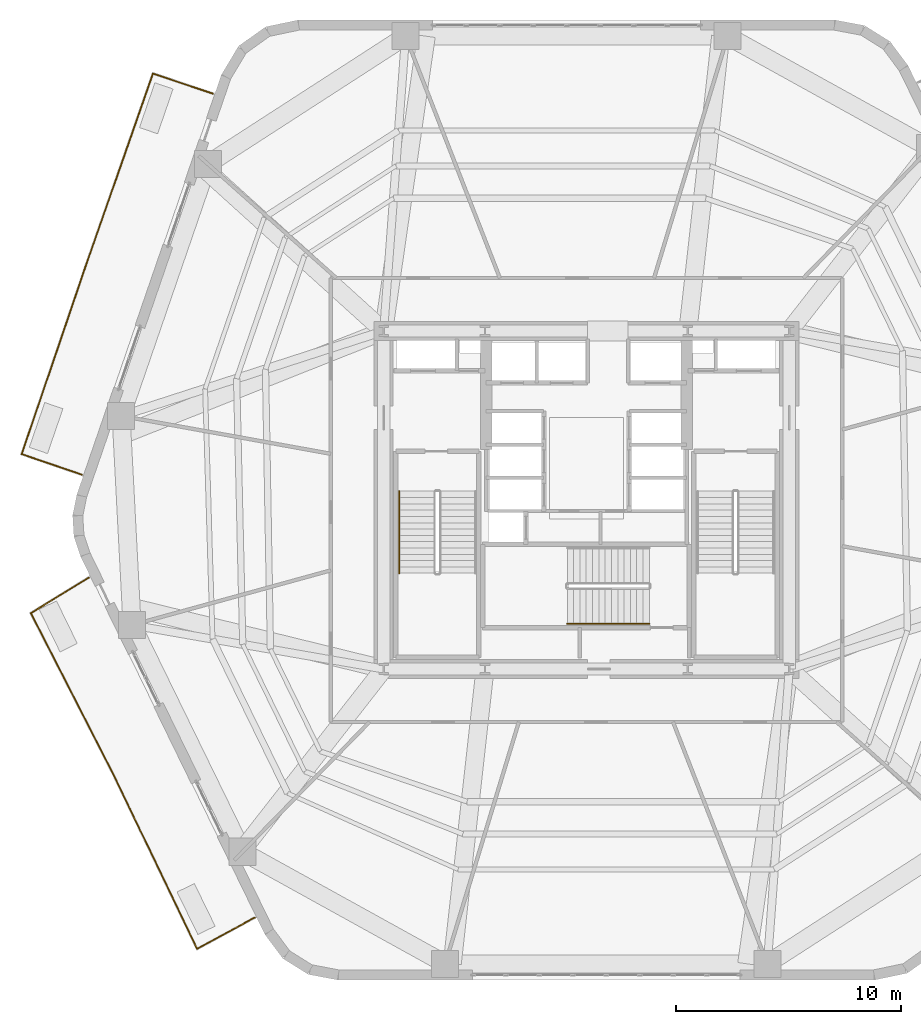
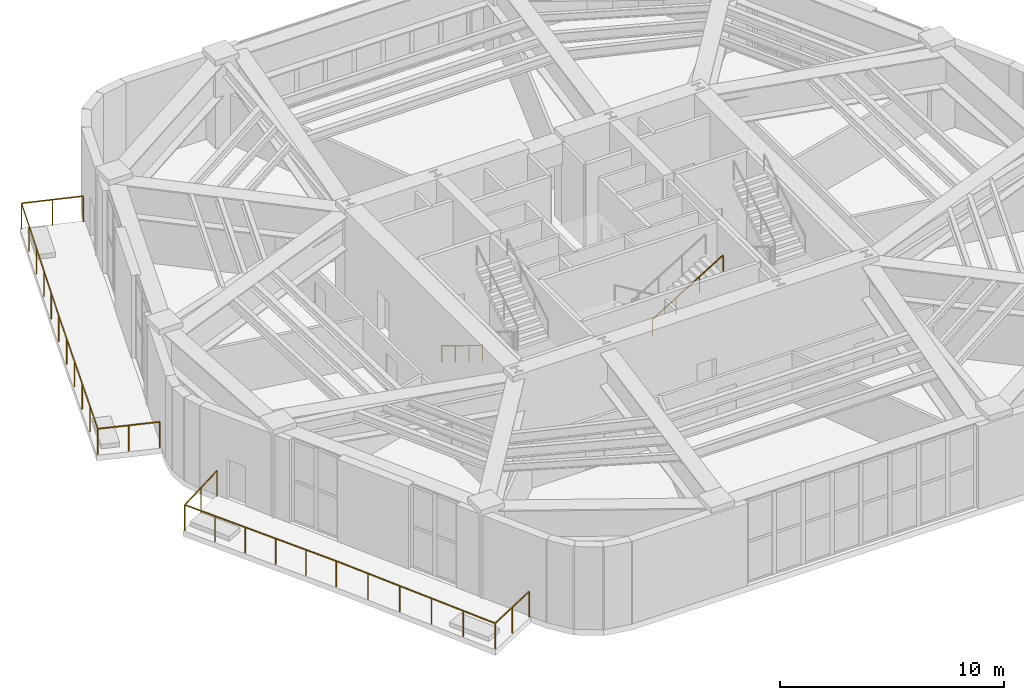
# One storey, part 20 of 22: 4 railings.
"""IFC4 building model written with IfcOpenShell, lengths in metres."""

from ifc_helpers import new_model, si_unit, direction, frame, origin, origin_2d, place, context, subcontext, project, spatial, rectangle, extrude, material, layer, layer_set, type_object, element, save


model = new_model("IFC4")

# Units and contexts
model_context = context("Model", 3, precision=1e-05, world=origin(), true_north=direction((0.0, 1.0)))
body_context = subcontext(model_context, "Body", "Model", "MODEL_VIEW")
ifc_project = project(units=[si_unit("LENGTHUNIT", "METRE"), si_unit("AREAUNIT", "SQUARE_METRE"), si_unit("VOLUMEUNIT", "CUBIC_METRE"), si_unit("PLANEANGLEUNIT", "RADIAN"), si_unit("MASSUNIT", "GRAM", prefix="KILO")], contexts=[model_context])

# Site, building, storey
site_placement = place(None, origin())
site = spatial("IfcSite", under=ifc_project, at=site_placement, CompositionType="ELEMENT")
building_placement = place(site_placement, origin())
building = spatial("IfcBuilding", under=site, at=building_placement, Name="Kilnhurst Terrace Hotel", CompositionType="ELEMENT")
storey_placement = place(building_placement, frame((0.0, 0.0, 139.5)))
storey = spatial("IfcBuildingStorey", under=building, at=storey_placement, Name="L34", CompositionType="ELEMENT", Elevation=139.5)

# Railings
ifc_material_1 = material(Name="Laminated SentryGlas and Stainless Steel AISI 316L Balustrade", Category="steel")
ifc_layer_1 = layer(ifc_material_1, 0.070068359375, Name="Laminated SentryGlas and Stainless Steel AISI 316L Balustrade")
ifc_layer_set_1 = layer_set([ifc_layer_1], Name="Laminated SentryGlas and Stainless Steel AISI 316L Balustrade")
railing_type_1 = type_object("IfcRailingType", Name="RLG-BAL-1420", PredefinedType="BALUSTRADE", material=ifc_layer_set_1)
railing_1_placement = place(storey_placement, frame((-22.394287109375, 1.123779296875, 0.0)))
element("IfcRailing", 1, at=railing_1_placement, inside=storey, type_object=railing_type_1, Name="L34 Exterior Terrace Guardrail BAL-L2A.1", PredefinedType="BALUSTRADE", context=body_context, shape_type="SweptSolid", body=[
    extrude(rectangle(XDim=0.048095703125, YDim=0.048095703125, at=origin_2d()), frame((0.0, 0.0, 1.39599609375), z_axis=(-0.945999088216, 0.324169284625, 0.0), x_axis=(-0.324169284625, -0.945999088216, 0.0)), (0.0, 0.0, 1.0), 2.818115234375),
    extrude(rectangle(XDim=0.048095703125, YDim=0.048095703125, at=origin_2d()), frame((-2.666015625, 0.91357421875, 1.39599609375), z_axis=(0.322236749626, 0.946659113509, 0.0), x_axis=(-0.946659113509, 0.322236749626, 0.0)), (0.0, 0.0, 1.0), 8.94921875),
    extrude(rectangle(XDim=0.048095703125, YDim=0.048095703125, at=origin_2d()), frame((0.2177734375, 9.385498046875, 1.39599609375), z_axis=(0.329867270016, 0.94402732173, 0.0), x_axis=(-0.94402732173, 0.329867270016, 0.0)), (0.0, 0.0, 1.0), 8.9140625),
    extrude(rectangle(XDim=0.048095703125, YDim=0.048095703125, at=origin_2d()), frame((3.158203125, 17.800537109375, 1.39599609375), z_axis=(0.948125796951, -0.317895380834, 0.0), x_axis=(0.317895380834, 0.948125796951, 0.0)), (0.0, 0.0, 1.0), 2.81005859375),
    extrude(rectangle(XDim=0.0419921875, YDim=0.0419921875, at=origin_2d()), origin(), (0.0, 0.0, 1.0), 1.371826171875),
    extrude(rectangle(XDim=0.0419921875, YDim=0.0419921875, at=origin_2d()), frame((-1.3330078125, 0.456787109375, 0.0)), (0.0, 0.0, 1.0), 1.371826171875),
    extrude(rectangle(XDim=0.0419921875, YDim=0.0419921875, at=origin_2d()), frame((-2.666015625, 0.91357421875, 0.0)), (0.0, 0.0, 1.0), 1.371826171875),
    extrude(rectangle(XDim=0.0419921875, YDim=0.0419921875, at=origin_2d()), frame((-2.08935546875, 2.60791015625, 0.0)), (0.0, 0.0, 1.0), 1.371826171875),
    extrude(rectangle(XDim=0.0419921875, YDim=0.0419921875, at=origin_2d()), frame((-1.512451171875, 4.30224609375, 0.0)), (0.0, 0.0, 1.0), 1.371826171875),
    extrude(rectangle(XDim=0.0419921875, YDim=0.0419921875, at=origin_2d()), frame((-0.935791015625, 5.996826171875, 0.0)), (0.0, 0.0, 1.0), 1.371826171875),
    extrude(rectangle(XDim=0.0419921875, YDim=0.0419921875, at=origin_2d()), frame((-0.35888671875, 7.691162109375, 0.0)), (0.0, 0.0, 1.0), 1.371826171875),
    extrude(rectangle(XDim=0.0419921875, YDim=0.0419921875, at=origin_2d()), frame((0.2177734375, 9.385498046875, 0.0)), (0.0, 0.0, 1.0), 1.371826171875),
    extrude(rectangle(XDim=0.0419921875, YDim=0.0419921875, at=origin_2d()), frame((0.805908203125, 11.068603515625, 0.0)), (0.0, 0.0, 1.0), 1.371826171875),
    extrude(rectangle(XDim=0.0419921875, YDim=0.0419921875, at=origin_2d()), frame((1.39404296875, 12.75146484375, 0.0)), (0.0, 0.0, 1.0), 1.371826171875),
    extrude(rectangle(XDim=0.0419921875, YDim=0.0419921875, at=origin_2d()), frame((1.98193359375, 14.4345703125, 0.0)), (0.0, 0.0, 1.0), 1.371826171875),
    extrude(rectangle(XDim=0.0419921875, YDim=0.0419921875, at=origin_2d()), frame((2.570068359375, 16.117431640625, 0.0)), (0.0, 0.0, 1.0), 1.371826171875),
    extrude(rectangle(XDim=0.0419921875, YDim=0.0419921875, at=origin_2d()), frame((3.158203125, 17.800537109375, 0.0)), (0.0, 0.0, 1.0), 1.371826171875),
    extrude(rectangle(XDim=0.0419921875, YDim=0.0419921875, at=origin_2d()), frame((4.490234375, 17.35400390625, 0.0)), (0.0, 0.0, 1.0), 1.371826171875),
    extrude(rectangle(XDim=0.0419921875, YDim=0.0419921875, at=origin_2d()), frame((5.822509765625, 16.9072265625, 0.0)), (0.0, 0.0, 1.0), 1.371826171875),
])
railing_2_placement = place(storey_placement, frame((-14.722900390625, -18.529541015625, 0.0)))
element("IfcRailing", 2, at=railing_2_placement, inside=storey, type_object=railing_type_1, Name="L34 Exterior Terrace Guardrail BAL-L2B.1", PredefinedType="BALUSTRADE", context=body_context, shape_type="SweptSolid", body=[
    extrude(rectangle(XDim=0.048095703125, YDim=0.048095703125, at=origin_2d()), frame((0.0, 0.0, 1.39599609375), z_axis=(-0.878553207741, -0.477644492451, 0.0), x_axis=(0.477644492451, -0.878553207741, 0.0)), (0.0, 0.0, 1.0), 2.90478515625),
    extrude(rectangle(XDim=0.048095703125, YDim=0.048095703125, at=origin_2d()), frame((-2.552001953125, -1.387451171875, 1.39599609375), z_axis=(-0.43291229924, 0.901436043858, 0.0), x_axis=(-0.901436043858, -0.43291229924, 0.0)), (0.0, 0.0, 1.0), 8.583251953125),
    extrude(rectangle(XDim=0.048095703125, YDim=0.048095703125, at=origin_2d()), frame((-6.267822265625, 6.349853515625, 1.39599609375), z_axis=(-0.514495755428, 0.857492925713, 0.0), x_axis=(-0.857492925713, -0.514495755428, 0.0)), (0.0, 0.0, 1.0), 0.00146484375),
    extrude(rectangle(XDim=0.048095703125, YDim=0.048095703125, at=origin_2d()), frame((-6.2685546875, 6.35107421875, 1.39599609375), z_axis=(-0.455744437697, 0.890110671494, 0.0), x_axis=(-0.890110671494, -0.455744437697, 0.0)), (0.0, 0.0, 1.0), 8.039794921875),
    extrude(rectangle(XDim=0.048095703125, YDim=0.048095703125, at=origin_2d()), frame((-9.9326171875, 13.50732421875, 1.39599609375), z_axis=(0.85191630472, 0.523677963784, 0.0), x_axis=(-0.523677963784, 0.85191630472, 0.0)), (0.0, 0.0, 1.0), 3.0205078125),
    extrude(rectangle(XDim=0.0419921875, YDim=0.0419921875, at=origin_2d()), origin(), (0.0, 0.0, 1.0), 1.371826171875),
    extrude(rectangle(XDim=0.0419921875, YDim=0.0419921875, at=origin_2d()), frame((-1.27587890625, -0.69384765625, 0.0)), (0.0, 0.0, 1.0), 1.371826171875),
    extrude(rectangle(XDim=0.0419921875, YDim=0.0419921875, at=origin_2d()), frame((-2.552001953125, -1.387451171875, 0.0)), (0.0, 0.0, 1.0), 1.371826171875),
    extrude(rectangle(XDim=0.0419921875, YDim=0.0419921875, at=origin_2d()), frame((-3.295166015625, 0.159912109375, 0.0)), (0.0, 0.0, 1.0), 1.371826171875),
    extrude(rectangle(XDim=0.0419921875, YDim=0.0419921875, at=origin_2d()), frame((-4.038330078125, 1.70751953125, 0.0)), (0.0, 0.0, 1.0), 1.371826171875),
    extrude(rectangle(XDim=0.0419921875, YDim=0.0419921875, at=origin_2d()), frame((-4.781494140625, 3.2548828125, 0.0)), (0.0, 0.0, 1.0), 1.371826171875),
    extrude(rectangle(XDim=0.0419921875, YDim=0.0419921875, at=origin_2d()), frame((-5.524658203125, 4.802490234375, 0.0)), (0.0, 0.0, 1.0), 1.371826171875),
    extrude(rectangle(XDim=0.0419921875, YDim=0.0419921875, at=origin_2d()), frame((-6.267822265625, 6.349853515625, 0.0)), (0.0, 0.0, 1.0), 1.371826171875),
    extrude(rectangle(XDim=0.0419921875, YDim=0.0419921875, at=origin_2d()), frame((-6.2685546875, 6.35107421875, 0.0)), (0.0, 0.0, 1.0), 1.371826171875),
    extrude(rectangle(XDim=0.0419921875, YDim=0.0419921875, at=origin_2d()), frame((-7.00146484375, 7.7822265625, 0.0)), (0.0, 0.0, 1.0), 1.371826171875),
    extrude(rectangle(XDim=0.0419921875, YDim=0.0419921875, at=origin_2d()), frame((-7.734130859375, 9.213623046875, 0.0)), (0.0, 0.0, 1.0), 1.371826171875),
    extrude(rectangle(XDim=0.0419921875, YDim=0.0419921875, at=origin_2d()), frame((-8.467041015625, 10.644775390625, 0.0)), (0.0, 0.0, 1.0), 1.371826171875),
    extrude(rectangle(XDim=0.0419921875, YDim=0.0419921875, at=origin_2d()), frame((-9.19970703125, 12.076171875, 0.0)), (0.0, 0.0, 1.0), 1.371826171875),
    extrude(rectangle(XDim=0.0419921875, YDim=0.0419921875, at=origin_2d()), frame((-9.9326171875, 13.50732421875, 0.0)), (0.0, 0.0, 1.0), 1.371826171875),
    extrude(rectangle(XDim=0.0419921875, YDim=0.0419921875, at=origin_2d()), frame((-8.64599609375, 14.29833984375, 0.0)), (0.0, 0.0, 1.0), 1.371826171875),
    extrude(rectangle(XDim=0.0419921875, YDim=0.0419921875, at=origin_2d()), frame((-7.359375, 15.089111328125, 0.0)), (0.0, 0.0, 1.0), 1.371826171875),
])
ifc_material_2 = material(Name="Brushed Stainless Steel AISI 304", Category="steel")
ifc_layer_2 = layer(ifc_material_2, 0.048095703125, Name="Brushed Stainless Steel AISI 304")
ifc_layer_set_2 = layer_set([ifc_layer_2], Name="Brushed Stainless Steel AISI 304")
railing_type_2 = type_object("IfcRailingType", Name="RLG-ST-HRL-900", PredefinedType="HANDRAIL", material=ifc_layer_set_2)
railing_3_placement = place(storey_placement, frame((-8.300048828125, 0.389892578125, 0.17138671875)))
element("IfcRailing", 3, at=railing_3_placement, inside=storey, type_object=railing_type_2, Name="L34 ST-1 stair handrail 1", PredefinedType="HANDRAIL", context=body_context, shape_type="SweptSolid", body=[
    extrude(rectangle(XDim=0.048095703125, YDim=0.048095703125, at=origin_2d()), frame((0.0, 0.0, 0.8759765625), z_axis=(0.0, -0.852850264322, 0.5221555579), x_axis=(1.0, 0.0, 0.0)), (0.0, 0.0, 1.0), 4.267822265625),
    extrude(rectangle(XDim=0.0419921875, YDim=0.0419921875, at=origin_2d()), origin(), (0.0, 0.0, 1.0), 0.851806640625),
    extrude(rectangle(XDim=0.0419921875, YDim=0.0419921875, at=origin_2d()), frame((0.0, -1.21337890625, 0.742919921875)), (0.0, 0.0, 1.0), 0.851806640625),
    extrude(rectangle(XDim=0.0419921875, YDim=0.0419921875, at=origin_2d()), frame((0.0, -2.426513671875, 1.485595703125)), (0.0, 0.0, 1.0), 0.851806640625),
    extrude(rectangle(XDim=0.0419921875, YDim=0.0419921875, at=origin_2d()), frame((0.0, -3.639892578125, 2.228515625)), (0.0, 0.0, 1.0), 0.851806640625),
])
railing_4_placement = place(storey_placement, frame((-0.85009765625, -5.5, 2.571533203125)))
element("IfcRailing", 4, at=railing_4_placement, inside=storey, type_object=railing_type_2, Name="L34 ST-3 stair handrail 2", PredefinedType="HANDRAIL", context=body_context, shape_type="SweptSolid", body=[
    extrude(rectangle(XDim=0.048095703125, YDim=0.048095703125, at=origin_2d()), frame((0.0, 0.0, 0.8759765625), z_axis=(0.852865859571, 0.0, 0.52213008492), x_axis=(0.0, 1.0, 0.0)), (0.0, 0.0, 1.0), 4.26806640625),
    extrude(rectangle(XDim=0.0419921875, YDim=0.0419921875, at=origin_2d()), origin(), (0.0, 0.0, 1.0), 0.851806640625),
    extrude(rectangle(XDim=0.0419921875, YDim=0.0419921875, at=origin_2d()), frame((1.21337890625, 0.0, 0.742919921875)), (0.0, 0.0, 1.0), 0.851806640625),
    extrude(rectangle(XDim=0.0419921875, YDim=0.0419921875, at=origin_2d()), frame((2.4267578125, 0.0, 1.485595703125)), (0.0, 0.0, 1.0), 0.851806640625),
    extrude(rectangle(XDim=0.0419921875, YDim=0.0419921875, at=origin_2d()), frame((3.64013671875, 0.0, 2.228515625)), (0.0, 0.0, 1.0), 0.851806640625),
])

save(model, "model.ifc")
